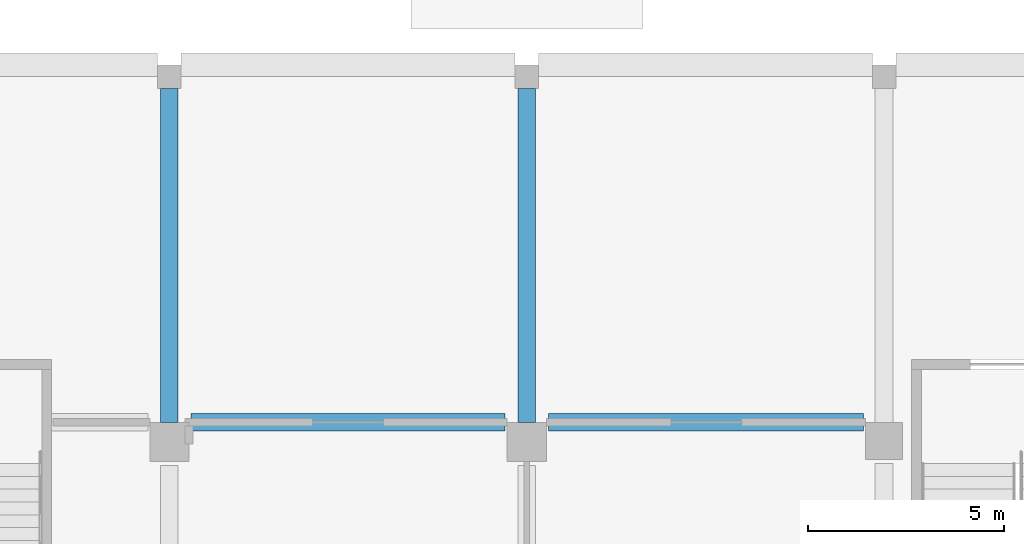
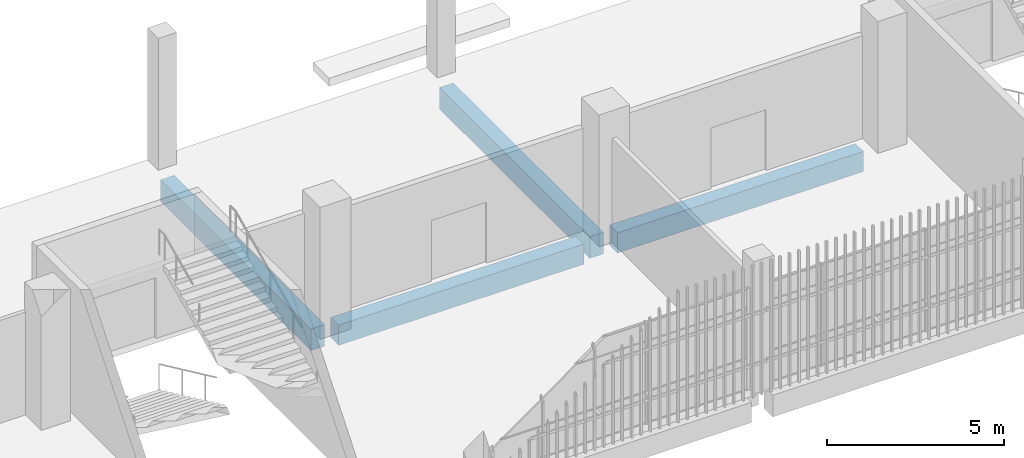
# One storey, part 18 of 126: 4 beams.
"""IFC4 building model written with IfcOpenShell, lengths in metres."""

from ifc_helpers import new_model, si_unit, direction, frame, origin, origin_2d, place, context, subcontext, project, spatial, rectangle, extrude, material, material_profile, profile_set, type_object, element, save


model = new_model("IFC4")

# Units and contexts
model_context = context("Model", 3, precision=1e-05, world=origin(), true_north=direction((0.0, 1.0)))
body_context = subcontext(model_context, "Body", "Model", "MODEL_VIEW")
ifc_project = project(units=[si_unit("LENGTHUNIT", "METRE"), si_unit("AREAUNIT", "SQUARE_METRE"), si_unit("VOLUMEUNIT", "CUBIC_METRE"), si_unit("PLANEANGLEUNIT", "RADIAN"), si_unit("MASSUNIT", "GRAM", prefix="KILO")], contexts=[model_context])

# Site, building, storey
site_placement = place(None, origin())
site = spatial("IfcSite", under=ifc_project, at=site_placement, CompositionType="ELEMENT")
building_placement = place(site_placement, origin())
building = spatial("IfcBuilding", under=site, at=building_placement, Name="Shirokan Park Arena", CompositionType="ELEMENT")
storey_placement = place(building_placement, frame((0.0, 0.0, 6.3701171875)))
storey = spatial("IfcBuildingStorey", under=building, at=storey_placement, Name="L01", CompositionType="ELEMENT", Elevation=6.3701171875)

# Beams
ifc_material = material(Name="Concrete C35", Category="concrete")
ifc_material_profile_1 = material_profile(ifc_material, rectangle(XDim=0.449951171875, YDim=0.699951171875, at=origin_2d()), Name="450x700")
ifc_profile_set_1 = profile_set([ifc_material_profile_1], Name="Concrete C35")
beam_type_1 = type_object("IfcBeamType", Name="RC girder 450x700", PredefinedType="BEAM", material=ifc_profile_set_1)
beam_1_placement = place(storey_placement, frame((64.25, 9.10009765625, -0.7001953125), z_axis=(1.0, 0.0, 0.0), x_axis=(0.0, 1.0, 0.0)))
element("IfcBeam", 1, at=beam_1_placement, inside=storey, type_object=beam_type_1, Name="Girder 8B-9B L01", PredefinedType="BEAM", context=body_context, shape_type="SweptSolid", body=[
    extrude(rectangle(XDim=0.449951171875, YDim=0.699951171875, at=origin_2d()), origin(), (0.0, 0.0, 1.0), 8.0),
])
beam_2_placement = place(storey_placement, frame((73.35009765625, 9.10009765625, -0.7001953125), z_axis=(1.0, 0.0, 0.0), x_axis=(0.0, 1.0, 0.0)))
element("IfcBeam", 2, at=beam_2_placement, inside=storey, type_object=beam_type_1, Name="Girder 9B-10B L01", PredefinedType="BEAM", context=body_context, shape_type="SweptSolid", body=[
    extrude(rectangle(XDim=0.449951171875, YDim=0.699951171875, at=origin_2d()), origin(), (0.0, 0.0, 1.0), 8.02490234375),
])
ifc_material_profile_2 = material_profile(ifc_material, rectangle(XDim=0.449951171875, YDim=0.75, at=origin_2d()), Name="450x750")
ifc_profile_set_2 = profile_set([ifc_material_profile_2], Name="Concrete C35")
beam_type_2 = type_object("IfcBeamType", Name="RC girder 450x750", PredefinedType="BEAM", material=ifc_profile_set_2)
for number, where, z_axis, x_axis, name in (
    (3, (63.699951171875, 9.10009765625, -0.72509765625), (0.0, 1.0, 0.0), (-1.0, 0.0, 0.0), "Girder 8B-8C L01"),
    (4, (72.800048828125, 9.10009765625, -0.72509765625), (0.0, 1.0, 0.0), (-1.0, 0.0, 0.0), "Girder 9B-9C L01"),
):
    element("IfcBeam", number, at=place(storey_placement, frame(where, z_axis=z_axis, x_axis=x_axis)), inside=storey, type_object=beam_type_2, Name=name, PredefinedType="BEAM", context=body_context, shape_type="SweptSolid", body=[
        extrude(rectangle(XDim=0.449951171875, YDim=0.75, at=origin_2d()), origin(), (0.0, 0.0, 1.0), 8.499755859375),
    ])

save(model, "model.ifc")
